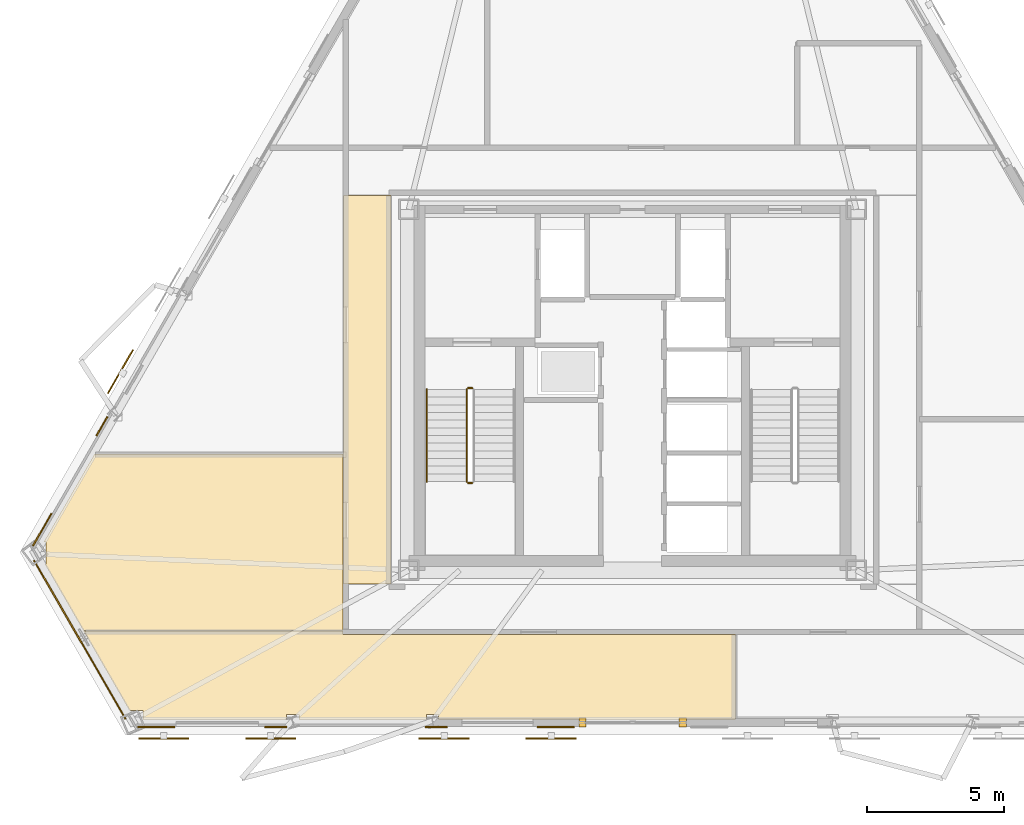
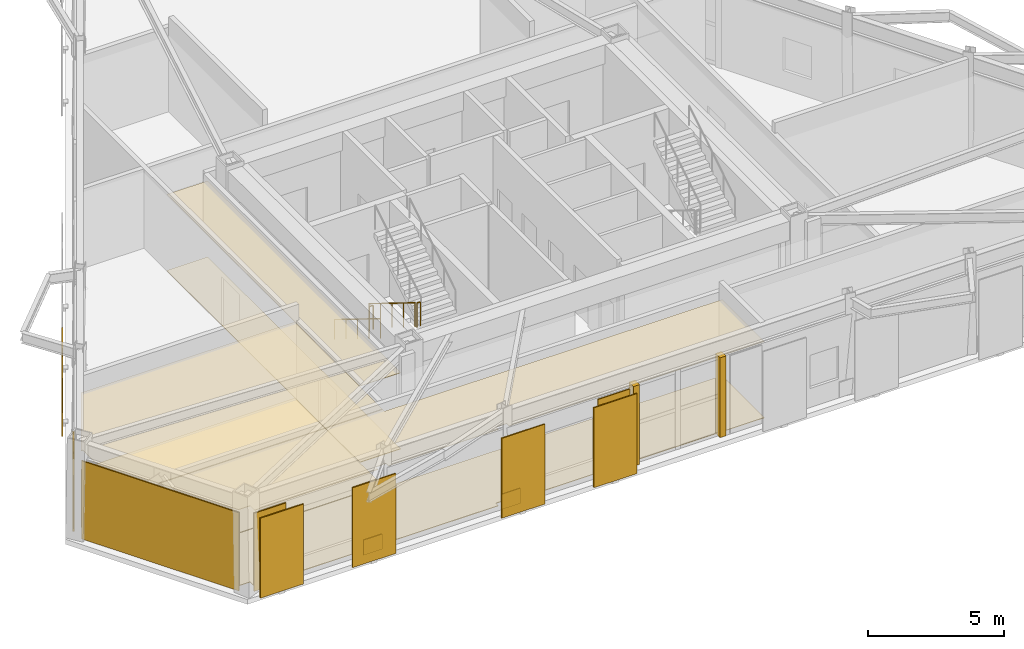
# One storey, part 11 of 14: 15 coverings, 5 shading devices, 4 railings.
"""IFC4 building model written with IfcOpenShell, lengths in metres."""

import ifcopenshell
import ifcopenshell.guid

model = None  # the IFC model being written
_history = None  # IfcOwnerHistory: only IFC2X3 demands one
_inside = {}  # id of a spatial element -> (the spatial element, [elements in it])
_under = {}  # id of a project, library or spatial element -> (it, [spatial elements below it])
_declared = {}  # id of a project -> (the project, [libraries it declares])
_typed = {}  # id of a type object -> (the type object, [elements of that type])
_made_of = {}  # id of a material, layer set ... -> (it, [elements and type objects made of it])


def new_model(schema):
    """Start an empty IFC model of exactly this schema.

    Asked for "IFC4X3", IfcOpenShell would pick the latest addendum, in which some entities
    have other attributes; the version numbers below select the first issue.
    IFC2X3 requires an IfcOwnerHistory on every rooted entity: one is made here for all.
    """
    global model, _history
    if schema == "IFC4X3":
        model = ifcopenshell.file(schema_version=(4, 3, 0, 0))
    else:
        model = ifcopenshell.file(schema=schema)
    _inside.clear()
    _under.clear()
    _declared.clear()
    _typed.clear()
    _made_of.clear()
    _history = None
    if model.schema == "IFC2X3":
        org = make("IfcOrganization", Name="unknown")
        user = make(
            "IfcPersonAndOrganization",
            ThePerson=make("IfcPerson", FamilyName="unknown"),
            TheOrganization=org,
        )
        app = make(
            "IfcApplication",
            ApplicationDeveloper=org,
            Version="unknown",
            ApplicationFullName="unknown",
            ApplicationIdentifier="unknown",
        )
        _history = make(
            "IfcOwnerHistory",
            OwningUser=user,
            OwningApplication=app,
            ChangeAction="ADDED",
            CreationDate=0,
        )
    return model


def make(cls, **values):
    """One entity of the class cls with the attributes given. An attribute that is None is left unset."""
    return model.create_entity(
        cls, **{name: value for name, value in values.items() if value is not None}
    )


def rooted(cls, **values):
    """An entity with a GlobalId (a new one), such as an element, a storey or a relation."""
    return make(cls, GlobalId=ifcopenshell.guid.new(), OwnerHistory=_history, **values)


def si_unit(unit_type, name, prefix=None):
    """IfcSIUnit, for example si_unit("LENGTHUNIT", "METRE", prefix="MILLI")."""
    return make("IfcSIUnit", UnitType=unit_type, Prefix=prefix, Name=name)


def assignment(units):
    """IfcUnitAssignment: the units of a project."""
    return None if units is None else make("IfcUnitAssignment", Units=units)


def point(xyz):
    """IfcCartesianPoint."""
    return None if xyz is None else make("IfcCartesianPoint", Coordinates=xyz)


def direction(xyz):
    """IfcDirection."""
    return None if xyz is None else make("IfcDirection", DirectionRatios=xyz)


def frame(location, z_axis=None, x_axis=None):
    """IfcAxis2Placement3D, a coordinate frame: its origin and axes. An axis left out is left unset."""
    return make(
        "IfcAxis2Placement3D",
        Location=point(location),
        Axis=direction(z_axis),
        RefDirection=direction(x_axis),
    )


def frame_2d(location, x_axis=None):
    """IfcAxis2Placement2D, a coordinate frame in the plane: its origin and x axis."""
    return make(
        "IfcAxis2Placement2D", Location=point(location), RefDirection=direction(x_axis)
    )


def origin():
    """The frame at (0, 0, 0) with its axes left unset."""
    return frame((0.0, 0.0, 0.0))


def origin_2d():
    """The frame at (0, 0) in the plane with its x axis left unset."""
    return frame_2d((0.0, 0.0))


def place(relative_to, where):
    """IfcLocalPlacement: puts the frame where relative to a parent placement (None: the world)."""
    return make(
        "IfcLocalPlacement", PlacementRelTo=relative_to, RelativePlacement=where
    )


def context(
    kind, dimensions, precision=None, world=None, true_north=None, identifier=None
):
    """IfcGeometricRepresentationContext, for example the 3D "Model" context."""
    return make(
        "IfcGeometricRepresentationContext",
        ContextIdentifier=identifier,
        ContextType=kind,
        CoordinateSpaceDimension=dimensions,
        Precision=precision,
        WorldCoordinateSystem=world,
        TrueNorth=true_north,
    )


def subcontext(parent, identifier, kind, view, scale=None):
    """IfcGeometricRepresentationSubContext, for example "Body" below "Model"."""
    return make(
        "IfcGeometricRepresentationSubContext",
        ContextIdentifier=identifier,
        ContextType=kind,
        ParentContext=parent,
        TargetScale=scale,
        TargetView=view,
    )


def project(units=None, contexts=None):
    """IfcProject with its units and contexts."""
    return rooted(
        "IfcProject",
        Name="project",
        RepresentationContexts=contexts,
        UnitsInContext=assignment(units),
    )


def spatial(cls, under=None, at=None, **own):
    """A site, building, storey or space (cls), placed at a placement, below another one or the project."""
    s = rooted(cls, ObjectPlacement=at, **own)
    if under is not None:
        _under.setdefault(under.id(), (under, []))[1].append(s)
    return s


def polyline(points):
    """IfcPolyline through the points."""
    return make("IfcPolyline", Points=[point(p) for p in points])


def profile(cls, at=None, kind="AREA", **sizes):
    """A parametric profile (cls). Its sizes go by their IFC names, for example OverallWidth=200.0."""
    return make(cls, ProfileType=kind, Position=at, **sizes)


def rectangle(**sizes):
    """IfcRectangleProfileDef."""
    return profile("IfcRectangleProfileDef", **sizes)


def circle(**sizes):
    """IfcCircleProfileDef."""
    return profile("IfcCircleProfileDef", **sizes)


def outline(outer, holes=None, kind="AREA"):
    """IfcArbitraryClosedProfileDef: a profile drawn as a closed curve; with holes, ...WithVoids."""
    if holes is None:
        return make("IfcArbitraryClosedProfileDef", ProfileType=kind, OuterCurve=outer)
    return make(
        "IfcArbitraryProfileDefWithVoids",
        ProfileType=kind,
        OuterCurve=outer,
        InnerCurves=holes,
    )


def extrude(swept, where, along, depth):
    """IfcExtrudedAreaSolid: the profile swept, set in the frame where, extruded along a direction by depth."""
    return make(
        "IfcExtrudedAreaSolid",
        SweptArea=swept,
        Position=where,
        ExtrudedDirection=direction(along),
        Depth=depth,
    )


def shape(context_of_items, identifier, shape_type, items):
    """IfcShapeRepresentation: the items that make up one representation, for example the "Body"."""
    return make(
        "IfcShapeRepresentation",
        ContextOfItems=context_of_items,
        RepresentationIdentifier=identifier,
        RepresentationType=shape_type,
        Items=items,
    )


def material(Name=None, Category=None):
    """IfcMaterial."""
    return make("IfcMaterial", Name=Name, Category=Category)


def layer(
    of_material, thickness, ventilated=None, Name=None, Category=None, Priority=None
):
    """IfcMaterialLayer: one layer of a wall or slab, of a material (None: an air gap)."""
    return make(
        "IfcMaterialLayer",
        Material=of_material,
        LayerThickness=thickness,
        IsVentilated=ventilated,
        Name=Name,
        Category=Category,
        Priority=Priority,
    )


def layer_set(layers, Name=None):
    """IfcMaterialLayerSet."""
    return make("IfcMaterialLayerSet", MaterialLayers=layers, LayerSetName=Name)


def made_of(thing, what):
    """Note that an element or type object is made of a material, layer set ...; save() writes the relation."""
    if what is not None:
        _made_of.setdefault(what.id(), (what, []))[1].append(thing)
    return thing


def type_object(cls, material=None, **own):
    """A type object (cls), such as IfcWallType, which elements share."""
    return made_of(rooted(cls, **own), material)


def element(
    cls,
    number,
    at=None,
    inside=None,
    cuts=None,
    type_object=None,
    material=None,
    context=None,
    identifier="Body",
    shape_type=None,
    held_by="IfcProductDefinitionShape",
    body=None,
    shapes=None,
    **own,
):
    """One element of the class cls, such as IfcWall. Its Tag is "e" and its number.

    at: its placement. inside: the storey or other place that contains it. cuts: it is an
    opening in that element (IfcRelVoidsElement). A single representation is given by context,
    identifier, shape_type and body (its items); several are given by shapes. held_by: the class
    of the entity that holds the representations. save() writes the other relations.
    """
    e = rooted(cls, Tag="e%d" % number, ObjectPlacement=at, **own)
    if body is not None:
        shapes = [shape(context, identifier, shape_type, body)]
    if shapes is not None:
        e.Representation = make(held_by, Representations=shapes)
    if inside is not None:
        _inside.setdefault(inside.id(), (inside, []))[1].append(e)
    if cuts is not None:
        rooted(
            "IfcRelVoidsElement", RelatingBuildingElement=cuts, RelatedOpeningElement=e
        )
    if type_object is not None:
        _typed.setdefault(type_object.id(), (type_object, []))[1].append(e)
    return made_of(e, material)


def aggregate(whole, parts):
    """IfcRelAggregates: a whole, such as a stair, and the parts it consists of."""
    return rooted("IfcRelAggregates", RelatingObject=whole, RelatedObjects=parts)


def save(model, path):
    """Write the relations noted so far, then the file.

    IfcRelAggregates (storeys below a building ...), IfcRelContainedInSpatialStructure (elements
    in a storey), IfcRelDefinesByType, IfcRelAssociatesMaterial and IfcRelDeclares: one each for
    every whole, place, type object, material and project.
    """
    for whole, parts in _under.values():
        aggregate(whole, parts)
    for where, things in _inside.values():
        rooted(
            "IfcRelContainedInSpatialStructure",
            RelatedElements=things,
            RelatingStructure=where,
        )
    for kind, things in _typed.values():
        rooted("IfcRelDefinesByType", RelatedObjects=things, RelatingType=kind)
    for what, things in _made_of.values():
        rooted("IfcRelAssociatesMaterial", RelatedObjects=things, RelatingMaterial=what)
    for by, libraries in _declared.values():
        rooted("IfcRelDeclares", RelatingContext=by, RelatedDefinitions=libraries)
    model.write(path)


model = new_model("IFC4")

# Units and contexts
model_context = context("Model", 3, precision=1e-05, world=origin(), true_north=direction((0.0, 1.0)))
body_context = subcontext(model_context, "Body", "Model", "MODEL_VIEW")
ifc_project = project(units=[si_unit("LENGTHUNIT", "METRE"), si_unit("AREAUNIT", "SQUARE_METRE"), si_unit("VOLUMEUNIT", "CUBIC_METRE"), si_unit("PLANEANGLEUNIT", "RADIAN"), si_unit("MASSUNIT", "GRAM", prefix="KILO")], contexts=[model_context])

# Site, building, storey
site_placement = place(None, origin())
site = spatial("IfcSite", under=ifc_project, at=site_placement, CompositionType="ELEMENT")
building_placement = place(site_placement, origin())
building = spatial("IfcBuilding", under=site, at=building_placement, Name="Oramaril Tower", CompositionType="ELEMENT")
storey_placement = place(building_placement, frame((0.0, 0.0, 204.60009765625)))
storey = spatial("IfcBuildingStorey", under=building, at=storey_placement, Name="L54", CompositionType="ELEMENT", Elevation=204.60009765625)

# Coverings
ifc_material_1 = material(Name="Mineral Fibre Acoustic Ceiling")
ifc_layer_1 = layer(ifc_material_1, 0.02001953125)
ifc_layer_set_1 = layer_set([ifc_layer_1], Name="CVT-CEIL")
covering_type_1 = type_object("IfcCoveringType", Name="CVT-CEIL", PredefinedType="CEILING", material=ifc_layer_set_1)
covering_1_placement = place(storey_placement, frame((0.0, 0.0, 3.411865234375)))
element("IfcCovering", 1, at=covering_1_placement, inside=storey, type_object=covering_type_1, Name="L54 Acoustic Suspended Ceiling 3", PredefinedType="CEILING", context=body_context, shape_type="SweptSolid", body=[
    extrude(outline(polyline([(28.699951171875, 10.5), (26.969970703125, 10.5), (26.969970703125, 24.64990234375), (28.699951171875, 24.64990234375), (28.699951171875, 10.5)])), origin(), (0.0, 0.0, 1.0), 0.02001953125),
])
covering_2_placement = place(storey_placement, frame((0.0, 0.0, 3.411865234375)))
element("IfcCovering", 2, at=covering_2_placement, inside=storey, type_object=covering_type_1, Name="L54 Acoustic Suspended Ceiling 5", PredefinedType="CEILING", context=body_context, shape_type="SweptSolid", body=[
    extrude(outline(polyline([(41.241943359375, 5.557373046875), (30.4375, 5.557373046875), (30.4375, 5.73681640625), (29.9873046875, 5.73681640625), (29.9873046875, 5.557373046875), (25.340087890625, 5.557373046875), (25.340087890625, 5.73681640625), (24.8818359375, 5.73681640625), (24.8818359375, 5.557373046875), (19.665283203125, 5.557373046875), (19.665283203125, 5.88720703125), (19.1669921875, 5.88720703125), (17.489990234375, 8.7919921875), (26.949951171875, 8.7919921875), (26.949951171875, 8.669921875), (26.9501953125, 8.66796875), (26.950439453125, 8.666015625), (26.950927734375, 8.664306640625), (26.951416015625, 8.662353515625), (26.952392578125, 8.66064453125), (26.953369140625, 8.658935546875), (26.95458984375, 8.6572265625), (26.955810546875, 8.656005859375), (26.957275390625, 8.654541015625), (26.958984375, 8.6533203125), (26.960693359375, 8.65234375), (26.96240234375, 8.651611328125), (26.964111328125, 8.65087890625), (26.966064453125, 8.650390625), (26.968017578125, 8.650146484375), (26.969970703125, 8.64990234375), (41.241943359375, 8.64990234375), (41.241943359375, 5.557373046875)])), origin(), (0.0, 0.0, 1.0), 0.02001953125),
])
covering_3_placement = place(storey_placement, frame((0.0, 0.0, 3.411865234375)))
element("IfcCovering", 3, at=covering_3_placement, inside=storey, type_object=covering_type_1, Name="L54 Acoustic Suspended Ceiling 7", PredefinedType="CEILING", context=body_context, shape_type="SweptSolid", body=[
    extrude(outline(polyline([(16.081787109375, 11.23095703125), (16.12451171875, 11.23095703125), (16.12451171875, 12.029541015625), (16.048095703125, 12.029541015625), (17.902587890625, 15.241943359375), (26.949951171875, 15.241943359375), (26.949951171875, 10.5), (26.9501953125, 10.498046875), (26.950439453125, 10.49609375), (26.950927734375, 10.494140625), (26.951416015625, 10.4921875), (26.952392578125, 10.490478515625), (26.95263671875, 10.489990234375), (26.952392578125, 10.489501953125), (26.951416015625, 10.48779296875), (26.950927734375, 10.48583984375), (26.950439453125, 10.48388671875), (26.9501953125, 10.48193359375), (26.949951171875, 10.47998046875), (26.949951171875, 8.81201171875), (17.489990234375, 8.81201171875), (17.488037109375, 8.81201171875), (17.486083984375, 8.8115234375), (17.484130859375, 8.81103515625), (17.482421875, 8.810302734375), (17.48046875, 8.8095703125), (17.47998046875, 8.809326171875), (16.081787109375, 11.23095703125)])), origin(), (0.0, 0.0, 1.0), 0.02001953125),
])
ifc_material_2 = material(Name="Warm Cream Limestone", Category="masonry")
ifc_layer_2 = layer(ifc_material_2, 0.050048828125)
ifc_layer_set_2 = layer_set([ifc_layer_2], Name="CVT-CLD")
covering_type_2 = type_object("IfcCoveringType", Name="CVT-CLD", PredefinedType="CLADDING", material=ifc_layer_set_2)
covering_4_placement = place(storey_placement, frame((17.35693359375, 8.470458984375, 0.039794921875), z_axis=(0.0, 0.0, 1.0), x_axis=(0.4999984885, -0.866026276448, 0.0)))
element("IfcCovering", 4, at=covering_4_placement, inside=storey, type_object=covering_type_2, Name="L54 Warm Cream Limestone Cladding", PredefinedType="CLADDING", context=body_context, shape_type="SweptSolid", body=[
    extrude(rectangle(XDim=6.6708984375, YDim=0.050048828125, at=origin_2d()), origin(), (0.0, 0.0, 1.0), 3.4970703125),
])
for number, where, z_axis, x_axis, name in (
    (5, (35.669921875, 5.44921875, 0.0), (0.0, 0.0, 1.0), (1.0, 0.0, 0.0), "L54 Curtain Wall Limestone Jamb Closure"),
    (6, (39.330078125, 5.44921875, 0.0), (0.0, 0.0, 1.0), (1.0, 0.0, 0.0), "L54 Curtain Wall Limestone Jamb Closure"),
):
    element("IfcCovering", number, at=place(storey_placement, frame(where, z_axis=z_axis, x_axis=x_axis)), inside=storey, type_object=covering_type_2, Name=name, PredefinedType="CLADDING", context=body_context, shape_type="SweptSolid", body=[
        extrude(rectangle(XDim=0.260009765625, YDim=0.340087890625, at=origin_2d()), origin(), (0.0, 0.0, 1.0), 3.576904296875),
    ])
for number, where, z_axis, x_axis, name in (
    (7, (20.145263671875, 5.28125, 0.039794921875), (0.0, 0.0, 1.0), (1.0, 0.0, 0.0), "L54 Warm Cream Limestone Cladding"),
    (8, (34.699951171875, 5.28125, 0.039794921875), (0.0, 0.0, 1.0), (1.0, 0.0, 0.0), "L54 Warm Cream Limestone Cladding"),
):
    element("IfcCovering", number, at=place(storey_placement, frame(where, z_axis=z_axis, x_axis=x_axis)), inside=storey, type_object=covering_type_2, Name=name, PredefinedType="CLADDING", context=body_context, shape_type="SweptSolid", body=[
        extrude(rectangle(XDim=1.35009765625, YDim=0.050048828125, at=origin_2d()), origin(), (0.0, 0.0, 1.0), 3.4970703125),
    ])
for number, where, z_axis, x_axis, name in (
    (9, (24.49658203125, 5.28125, 0.0400390625), (0.0, 0.0, 1.0), (1.0, 0.0, 0.0), "L54 Warm Cream Limestone Spandrel Cladding"),
    (10, (30.348388671875, 5.28125, 0.0400390625), (0.0, 0.0, 1.0), (1.0, 0.0, 0.0), "L54 Warm Cream Limestone Spandrel Cladding"),
):
    element("IfcCovering", number, at=place(storey_placement, frame(where, z_axis=z_axis, x_axis=x_axis)), inside=storey, type_object=covering_type_2, Name=name, PredefinedType="CLADDING", context=body_context, shape_type="SweptSolid", body=[
        extrude(rectangle(XDim=0.800048828125, YDim=0.050048828125, at=origin_2d()), origin(), (0.0, 0.0, 1.0), 0.679931640625),
    ])
covering_5_placement = place(storey_placement, frame((15.9892578125, 12.479736328125, 0.039794921875), z_axis=(0.0, 0.0, 1.0), x_axis=(-0.5, -0.866025403784, 0.0)))
element("IfcCovering", 11, at=covering_5_placement, inside=storey, type_object=covering_type_2, Name="L54 Warm Cream Limestone Cladding", PredefinedType="CLADDING", context=body_context, shape_type="SweptSolid", body=[
    extrude(rectangle(XDim=1.35009765625, YDim=0.050048828125, at=origin_2d()), origin(), (0.0, 0.0, 1.0), 3.4970703125),
])
covering_6_placement = place(storey_placement, frame((18.1650390625, 16.248291015625, 0.0400390625), z_axis=(0.0, 0.0, 1.0), x_axis=(-0.5, -0.866025403784, 0.0)))
element("IfcCovering", 12, at=covering_6_placement, inside=storey, type_object=covering_type_2, Name="L54 Warm Cream Limestone Spandrel Cladding", PredefinedType="CLADDING", context=body_context, shape_type="SweptSolid", body=[
    extrude(rectangle(XDim=0.800048828125, YDim=0.050048828125, at=origin_2d()), origin(), (0.0, 0.0, 1.0), 0.679931640625),
])
ifc_material_3 = material(Name="Honed Quartzite Stone Flooring", Category="masonry")
ifc_layer_3 = layer(ifc_material_3, 0.02490234375)
ifc_layer_set_3 = layer_set([ifc_layer_3], Name="CVT-FLR")
covering_type_3 = type_object("IfcCoveringType", Name="CVT-FLR", PredefinedType="FLOORING", material=ifc_layer_set_3)
covering_7_placement = place(storey_placement, origin())
element("IfcCovering", 13, at=covering_7_placement, inside=storey, type_object=covering_type_3, Name="L54 Honed Stone Floor Finish 3", PredefinedType="FLOORING", context=body_context, shape_type="SweptSolid", body=[
    extrude(outline(polyline([(28.699951171875, 10.5), (26.969970703125, 10.5), (26.969970703125, 24.64990234375), (28.699951171875, 24.64990234375), (28.699951171875, 10.5)])), origin(), (0.0, 0.0, 1.0), 0.02490234375),
])
covering_8_placement = place(storey_placement, origin())
element("IfcCovering", 14, at=covering_8_placement, inside=storey, type_object=covering_type_3, Name="L54 Honed Stone Floor Finish 5", PredefinedType="FLOORING", context=body_context, shape_type="SweptSolid", body=[
    extrude(outline(polyline([(41.241943359375, 5.557373046875), (30.4375, 5.557373046875), (30.4375, 5.73681640625), (29.9873046875, 5.73681640625), (29.9873046875, 5.557373046875), (25.340087890625, 5.557373046875), (25.340087890625, 5.73681640625), (24.8818359375, 5.73681640625), (24.8818359375, 5.557373046875), (19.665283203125, 5.557373046875), (19.665283203125, 5.88720703125), (19.1669921875, 5.88720703125), (17.489990234375, 8.7919921875), (26.949951171875, 8.7919921875), (26.949951171875, 8.669921875), (26.9501953125, 8.66796875), (26.950439453125, 8.666015625), (26.950927734375, 8.664306640625), (26.951416015625, 8.662353515625), (26.952392578125, 8.66064453125), (26.953369140625, 8.658935546875), (26.95458984375, 8.6572265625), (26.955810546875, 8.656005859375), (26.957275390625, 8.654541015625), (26.958984375, 8.6533203125), (26.960693359375, 8.65234375), (26.96240234375, 8.651611328125), (26.964111328125, 8.65087890625), (26.966064453125, 8.650390625), (26.968017578125, 8.650146484375), (26.969970703125, 8.64990234375), (41.241943359375, 8.64990234375), (41.241943359375, 5.557373046875)])), origin(), (0.0, 0.0, 1.0), 0.02490234375),
])
covering_9_placement = place(storey_placement, origin())
element("IfcCovering", 15, at=covering_9_placement, inside=storey, type_object=covering_type_3, Name="L54 Honed Stone Floor Finish 7", PredefinedType="FLOORING", context=body_context, shape_type="SweptSolid", body=[
    extrude(outline(polyline([(16.081787109375, 11.23095703125), (16.12451171875, 11.23095703125), (16.12451171875, 12.029541015625), (16.048095703125, 12.029541015625), (17.902587890625, 15.241943359375), (26.949951171875, 15.241943359375), (26.949951171875, 10.5), (26.9501953125, 10.498046875), (26.950439453125, 10.49609375), (26.950927734375, 10.494140625), (26.951416015625, 10.4921875), (26.952392578125, 10.490478515625), (26.95263671875, 10.489990234375), (26.952392578125, 10.489501953125), (26.951416015625, 10.48779296875), (26.950927734375, 10.48583984375), (26.950439453125, 10.48388671875), (26.9501953125, 10.48193359375), (26.949951171875, 10.47998046875), (26.949951171875, 8.81201171875), (17.489990234375, 8.81201171875), (17.488037109375, 8.81201171875), (17.486083984375, 8.8115234375), (17.484130859375, 8.81103515625), (17.482421875, 8.810302734375), (17.48046875, 8.8095703125), (17.47998046875, 8.809326171875), (16.081787109375, 11.23095703125)])), origin(), (0.0, 0.0, 1.0), 0.02490234375),
])

# Railings
ifc_material_4 = material(Name="Stainless Steel 316L", Category="steel")
railing_type_1 = type_object("IfcRailingType", Name="RLT-GRD", PredefinedType="GUARDRAIL", material=ifc_material_4)
railing_1_placement = place(storey_placement, frame((31.4599609375, 17.590087890625, 0.173095703125)))
element("IfcRailing", 16, at=railing_1_placement, inside=storey, type_object=railing_type_1, Name="L54 ST-1 stair guard 1", PredefinedType="GUARDRAIL", context=body_context, shape_type="SweptSolid", body=[
    extrude(circle(Radius=0.02392578125, at=origin_2d()), frame((0.0, 0.0, 1.076171875), z_axis=(0.0, -0.850623216509, 0.525775754039), x_axis=(1.0, 0.0, 0.0)), (0.0, 0.0, 1.0), 3.9501953125),
    extrude(circle(Radius=0.02099609375, at=origin_2d()), origin(), (0.0, 0.0, 1.0), 1.052001953125),
    extrude(circle(Radius=0.02099609375, at=origin_2d()), frame((0.0, -0.840087890625, 0.519287109375)), (0.0, 0.0, 1.0), 1.052001953125),
    extrude(circle(Radius=0.02099609375, at=origin_2d()), frame((0.0, -1.68017578125, 1.03857421875)), (0.0, 0.0, 1.0), 1.052001953125),
    extrude(circle(Radius=0.02099609375, at=origin_2d()), frame((0.0, -2.52001953125, 1.5576171875)), (0.0, 0.0, 1.0), 1.052001953125),
    extrude(circle(Radius=0.02099609375, at=origin_2d()), frame((0.0, -3.360107421875, 2.076904296875)), (0.0, 0.0, 1.0), 1.052001953125),
])
for number, where, name in (
    (17, (31.510009765625, 14.179931640625, 2.25), "L54 ST-1 stair guard 2"),
    (18, (31.510009765625, 17.639892578125, 0.0), "L54 ST-1 stair guard 4"),
):
    element("IfcRailing", number, at=place(storey_placement, frame(where)), inside=storey, type_object=railing_type_1, Name=name, PredefinedType="GUARDRAIL", context=body_context, shape_type="SweptSolid", body=[
        extrude(circle(Radius=0.02392578125, at=origin_2d()), frame((0.0, 0.0, 1.076171875), z_axis=(1.0, 0.0, 0.0), x_axis=(0.0, 1.0, 0.0)), (0.0, 0.0, 1.0), 0.14990234375),
        extrude(circle(Radius=0.02099609375, at=origin_2d()), origin(), (0.0, 0.0, 1.0), 1.052001953125),
        extrude(circle(Radius=0.02099609375, at=origin_2d()), frame((0.14990234375, 0.0, 0.0)), (0.0, 0.0, 1.0), 1.052001953125),
    ])
ifc_material_5 = material(Name="Stainless Steel 316L", Category="steel")
railing_type_2 = type_object("IfcRailingType", Name="RLT-HND", PredefinedType="HANDRAIL", material=ifc_material_5)
railing_2_placement = place(storey_placement, frame((30.0, 17.590087890625, 0.173095703125)))
element("IfcRailing", 19, at=railing_2_placement, inside=storey, type_object=railing_type_2, Name="L54 ST-1 stair handrail 1", PredefinedType="HANDRAIL", context=body_context, shape_type="SweptSolid", body=[
    extrude(circle(Radius=0.02392578125, at=origin_2d()), frame((0.0, 0.0, 0.8759765625), z_axis=(0.0, -0.850623216509, 0.525775754039), x_axis=(1.0, 0.0, 0.0)), (0.0, 0.0, 1.0), 3.9501953125),
    extrude(circle(Radius=0.02099609375, at=origin_2d()), origin(), (0.0, 0.0, 1.0), 0.851806640625),
    extrude(circle(Radius=0.02099609375, at=origin_2d()), frame((0.0, -0.840087890625, 0.519287109375)), (0.0, 0.0, 1.0), 0.851806640625),
    extrude(circle(Radius=0.02099609375, at=origin_2d()), frame((0.0, -1.68017578125, 1.03857421875)), (0.0, 0.0, 1.0), 0.851806640625),
    extrude(circle(Radius=0.02099609375, at=origin_2d()), frame((0.0, -2.52001953125, 1.5576171875)), (0.0, 0.0, 1.0), 0.851806640625),
    extrude(circle(Radius=0.02099609375, at=origin_2d()), frame((0.0, -3.360107421875, 2.076904296875)), (0.0, 0.0, 1.0), 0.851806640625),
])

# Shading devices
for number, where, z_axis, x_axis, name in (
    (20, (20.41455078125, 4.869384765625, -0.02001953125), (0.0, 0.0, 1.0), (1.0, 0.0, 0.0), "L54 Perforated Ceramic Solar Screen"),
    (21, (24.314697265625, 4.869384765625, -0.02001953125), (0.0, 0.0, 1.0), (1.0, 0.0, 0.0), "L54 Perforated Ceramic Solar Screen"),
    (22, (30.630615234375, 4.869384765625, -0.02001953125), (0.0, 0.0, 1.0), (1.0, 0.0, 0.0), "L54 Perforated Ceramic Solar Screen"),
    (23, (34.530517578125, 4.869384765625, -0.02001953125), (0.0, 0.0, 1.0), (1.0, 0.0, 0.0), "L54 Perforated Ceramic Solar Screen"),
    (24, (18.8369140625, 18.236328125, -0.02001953125), (0.0, 0.0, 1.0), (-0.500001511499, -0.866024531118, 0.0), "L54 Perforated Ceramic Solar Screen"),
):
    element("IfcShadingDevice", number, at=place(storey_placement, frame(where, z_axis=z_axis, x_axis=x_axis)), inside=storey, Name=name, ObjectType="SCREEN", PredefinedType="USERDEFINED", context=body_context, shape_type="SweptSolid", body=[
        extrude(rectangle(XDim=1.8330078125, YDim=0.050048828125, at=origin_2d()), origin(), (0.0, 0.0, 1.0), 3.576904296875),
    ])

save(model, "model.ifc")
